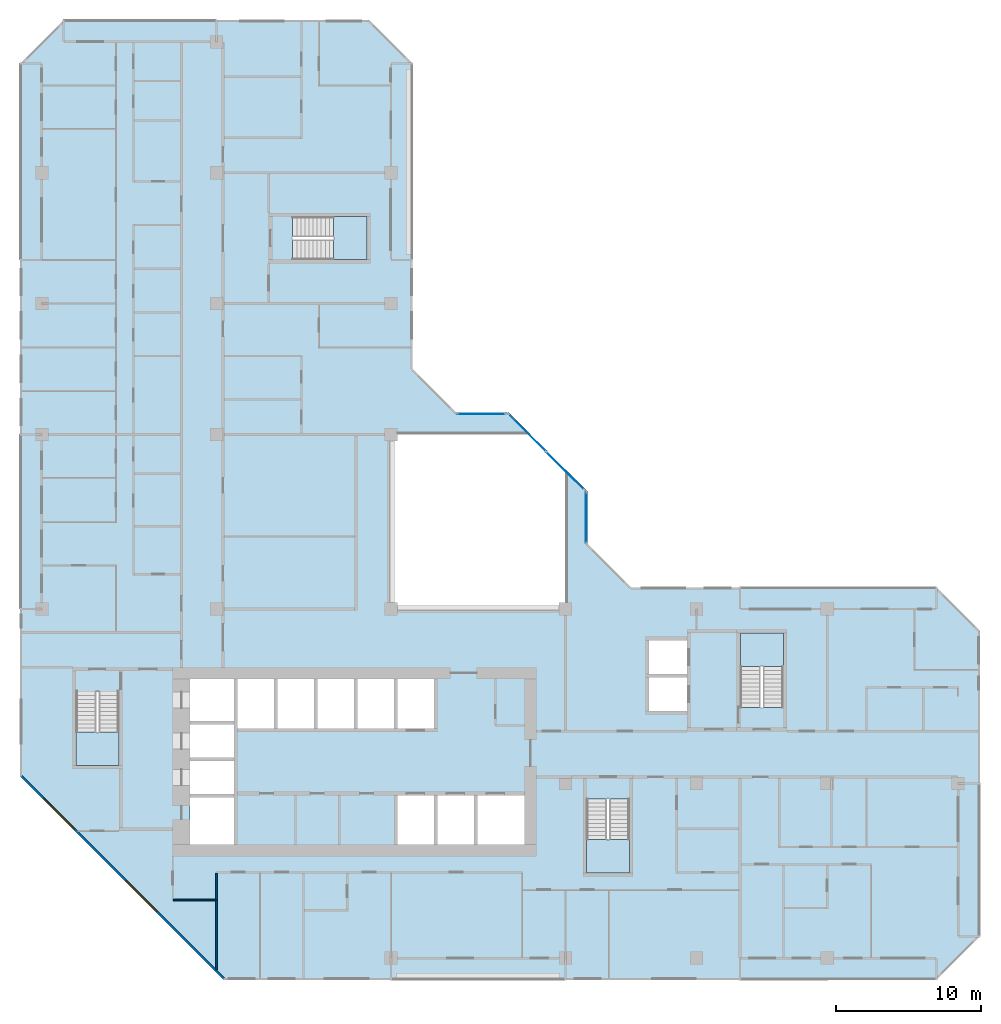
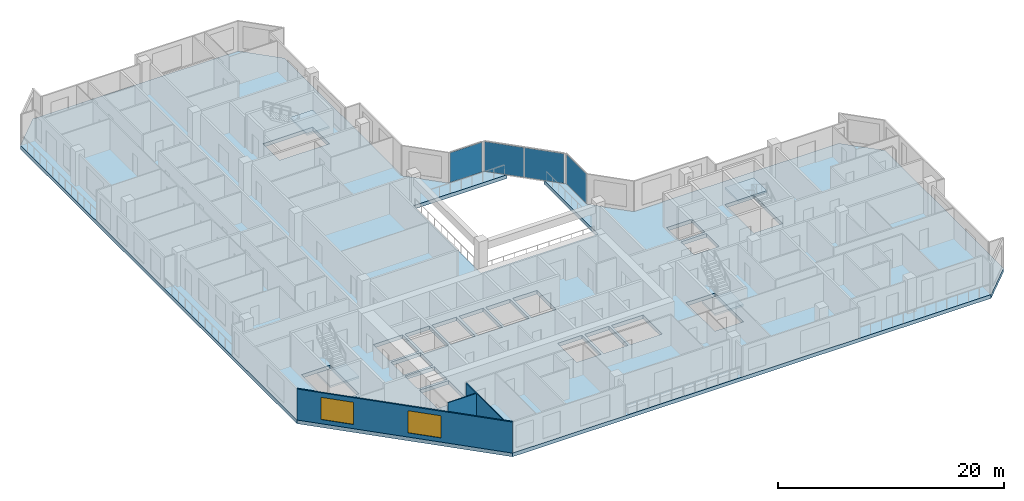
# One storey, part 3 of 15: 5 slabs, 4 plates, 3 walls, 2 windows, 2 openings, 7 elements without a shape of their own.
"""IFC4 building model written with IfcOpenShell, lengths in metres."""

from ifc_helpers import new_model, si_unit, direction, frame, frame_2d, origin, origin_2d, place, context, subcontext, project, spatial, polyline, rectangle, outline, extrude, material, layer, layer_set, type_object, element, fill, aggregate, save


model = new_model("IFC4")

# Units and contexts
model_context = context("Model", 3, precision=1e-05, world=origin(), true_north=direction((0.0, 1.0)))
body_context = subcontext(model_context, "Body", "Model", "MODEL_VIEW")
ifc_project = project(units=[si_unit("LENGTHUNIT", "METRE"), si_unit("AREAUNIT", "SQUARE_METRE"), si_unit("VOLUMEUNIT", "CUBIC_METRE"), si_unit("PLANEANGLEUNIT", "RADIAN"), si_unit("MASSUNIT", "GRAM", prefix="KILO")], contexts=[model_context])

# Site, building, storey
site_placement = place(None, origin())
site = spatial("IfcSite", under=ifc_project, at=site_placement, CompositionType="ELEMENT")
building_placement = place(site_placement, origin())
building = spatial("IfcBuilding", under=site, at=building_placement, Name="Chenar Terraces", CompositionType="ELEMENT")
storey_placement = place(building_placement, frame((0.0, 0.0, 176.14990234375)))
storey = spatial("IfcBuildingStorey", under=building, at=storey_placement, Name="L40", CompositionType="ELEMENT", Elevation=176.14990234375)

# Curtain wall, plate
ifc_material_1 = material(Name="Aluminium framed glazing", Category="aluminium")
ifc_layer_1 = layer(ifc_material_1, 0.14990234375)
ifc_layer_set_1 = layer_set([ifc_layer_1], Name="Aluminium framed glazing")
curtain_wall_type = type_object("IfcCurtainWallType", Name="Atrium mid-zone curtain wall", PredefinedType="NOTDEFINED", material=ifc_layer_set_1)
placement_1 = place(storey_placement, origin())
curtain_wall_1 = element("IfcCurtainWall", 1, at=placement_1, inside=storey, type_object=curtain_wall_type, Name="Atrium mid-zone curtain wall", PredefinedType="NOTDEFINED")
ifc_material_2 = material(Name="Low emissivity laminated glass, solar control coating", Category="glass")
ifc_layer_2 = layer(ifc_material_2, 0.031982421875)
ifc_layer_set_2 = layer_set([ifc_layer_2], Name="Low emissivity laminated glass, solar control coating")
plate_type = type_object("IfcPlateType", Name="Atrium mid-zone glazing panel 32", PredefinedType="CURTAIN_PANEL", material=ifc_layer_set_2)
plate_1_placement = place(storey_placement, frame((37.425048828125, 30.300048828125, 0.070068359375), z_axis=(0.0, 0.0, 1.0), x_axis=(0.0, 1.0, 0.0)))
plate_1 = element("IfcPlate", 2, at=plate_1_placement, type_object=plate_type, Name="CW7-1 panel 1.1", PredefinedType="CURTAIN_PANEL", context=body_context, shape_type="SweptSolid", body=[
    extrude(rectangle(XDim=3.4599609375, YDim=0.031982421875, at=origin_2d()), origin(), (0.0, 0.0, 1.0), 3.2099609375),
])
aggregate(curtain_wall_1, [plate_1])

# Curtain wall, plates
curtain_wall_2 = element("IfcCurtainWall", 3, at=placement_1, inside=storey, type_object=curtain_wall_type, Name="Atrium mid-zone curtain wall", PredefinedType="NOTDEFINED")
plate_2_placement = place(storey_placement, frame((35.978515625, 33.515380859375, 0.070068359375), z_axis=(0.0, 0.0, 1.0), x_axis=(-0.707106781187, 0.707106781187, 0.0)))
plate_2 = element("IfcPlate", 4, at=plate_2_placement, type_object=plate_type, Name="CW7-2 panel 1.1", PredefinedType="CURTAIN_PANEL", context=body_context, shape_type="SweptSolid", body=[
    extrude(rectangle(XDim=3.61328125, YDim=0.031982421875, at=origin_2d()), origin(), (0.0, 0.0, 1.0), 3.2099609375),
])
plate_3_placement = place(storey_placement, frame((33.3740234375, 36.119873046875, 0.070068359375), z_axis=(0.0, 0.0, 1.0), x_axis=(-0.707106781187, 0.707106781187, 0.0)))
plate_3 = element("IfcPlate", 5, at=plate_3_placement, type_object=plate_type, Name="CW7-2 panel 2.1", PredefinedType="CURTAIN_PANEL", context=body_context, shape_type="SweptSolid", body=[
    extrude(rectangle(XDim=3.61328125, YDim=0.031982421875, at=origin_2d()), origin(), (0.0, 0.0, 1.0), 3.2099609375),
])
aggregate(curtain_wall_2, [plate_2, plate_3])

# Curtain wall, plate
curtain_wall_3 = element("IfcCurtainWall", 6, at=placement_1, inside=storey, type_object=curtain_wall_type, Name="Atrium mid-zone curtain wall", PredefinedType="NOTDEFINED")
plate_4_placement = place(storey_placement, frame((30.199951171875, 37.425048828125, 0.070068359375), z_axis=(0.0, 0.0, 1.0), x_axis=(-1.0, 0.0, 0.0)))
plate_4 = element("IfcPlate", 7, at=plate_4_placement, type_object=plate_type, Name="CW7-3 panel 1.1", PredefinedType="CURTAIN_PANEL", context=body_context, shape_type="SweptSolid", body=[
    extrude(rectangle(XDim=3.260009765625, YDim=0.031982421875, at=origin_2d()), origin(), (0.0, 0.0, 1.0), 3.2099609375),
])
aggregate(curtain_wall_3, [plate_4])

# Stair, slab
ifc_material_3 = material(Name="Reinforced concrete C40/50", Category="concrete")
stair_type = type_object("IfcStairType", Name="Core stair 1400 half-turn", PredefinedType="HALF_TURN_STAIR", material=ifc_material_3)
stair_1 = element("IfcStair", 8, at=placement_1, inside=storey, type_object=stair_type, Name="L40 Stair 1", PredefinedType="HALF_TURN_STAIR")
ifc_material_4 = material(Name="Reinforced concrete C40/50", Category="concrete")
ifc_layer_3 = layer(ifc_material_4, 0.199951171875)
ifc_layer_set_3 = layer_set([ifc_layer_3], Name="Reinforced concrete C40/50")
slab_type_1 = type_object("IfcSlabType", Name="Core stair landing 200", PredefinedType="LANDING", material=ifc_layer_set_3)
placement_2 = place(storey_placement, frame((0.0, 0.0, 1.675048828125)))
slab_1 = element("IfcSlab", 9, at=placement_2, type_object=slab_type_1, Name="ST1 landing 1", PredefinedType="LANDING", context=body_context, shape_type="SweptSolid", body=[
    extrude(outline(polyline([(2.35009765625, 15.550048828125), (2.35009765625, 13.25), (5.300048828125, 13.25), (5.300048828125, 15.550048828125), (2.35009765625, 15.550048828125)])), origin(), (0.0, 0.0, 1.0), 0.199951171875),
])
aggregate(stair_1, [slab_1])

stair_2 = element("IfcStair", 10, at=placement_1, inside=storey, type_object=stair_type, Name="L40 Stair 2", PredefinedType="HALF_TURN_STAIR")
slab_2 = element("IfcSlab", 11, at=placement_2, type_object=slab_type_1, Name="ST2 landing 1", PredefinedType="LANDING", context=body_context, shape_type="SweptSolid", body=[
    extrude(outline(polyline([(37.449951171875, 8.14990234375), (37.449951171875, 5.85009765625), (40.39990234375, 5.85009765625), (40.39990234375, 8.14990234375), (37.449951171875, 8.14990234375)])), origin(), (0.0, 0.0, 1.0), 0.199951171875),
])
aggregate(stair_2, [slab_2])

stair_3 = element("IfcStair", 12, at=placement_1, inside=storey, type_object=stair_type, Name="L40 Stair 3", PredefinedType="HALF_TURN_STAIR")
slab_3 = element("IfcSlab", 13, at=placement_2, type_object=slab_type_1, Name="ST3 landing 1", PredefinedType="LANDING", context=body_context, shape_type="SweptSolid", body=[
    extrude(outline(polyline([(50.97509765625, 20.050048828125), (50.97509765625, 22.35009765625), (48.02490234375, 22.35009765625), (48.02490234375, 20.050048828125), (50.97509765625, 20.050048828125)])), origin(), (0.0, 0.0, 1.0), 0.199951171875),
])
aggregate(stair_3, [slab_3])

stair_4 = element("IfcStair", 14, at=placement_1, inside=storey, type_object=stair_type, Name="L40 Stair 4", PredefinedType="HALF_TURN_STAIR")
slab_4 = element("IfcSlab", 15, at=placement_2, type_object=slab_type_1, Name="ST4 landing 1", PredefinedType="LANDING", context=body_context, shape_type="SweptSolid", body=[
    extrude(outline(polyline([(20.050048828125, 48.02490234375), (22.35009765625, 48.02490234375), (22.35009765625, 50.97509765625), (20.050048828125, 50.97509765625), (20.050048828125, 48.02490234375)])), origin(), (0.0, 0.0, 1.0), 0.199951171875),
])
aggregate(stair_4, [slab_4])

# Slab
ifc_material_5 = material(Name="Concrete C40/50", Category="concrete")
ifc_layer_4 = layer(ifc_material_5, 0.39990234375)
ifc_layer_set_4 = layer_set([ifc_layer_4], Name="Concrete C40/50")
slab_type_2 = type_object("IfcSlabType", Name="Floor slab 400 Concrete C40/50", PredefinedType="FLOOR", material=ifc_layer_set_4)
slab_5_placement = place(storey_placement, frame((0.0, 0.0, -0.39990234375)))
element("IfcSlab", 16, at=slab_5_placement, inside=storey, type_object=slab_type_2, Name="Floor slab L40", PredefinedType="FLOOR", context=body_context, shape_type="SweptSolid", body=[
    extrude(outline(polyline([(64.5, 22.5), (64.5, 1.5), (61.5, -1.5), (12.5, -1.5), (-1.5, 12.5), (-1.5, 61.5), (1.5, 64.5), (22.5, 64.5), (25.5, 61.5), (25.5, 40.5), (28.5, 37.5), (32.10009765625, 37.5), (33.60009765625, 36.0), (24.0, 36.0), (24.0, 24.0), (36.0, 24.0), (36.0, 33.60009765625), (37.5, 32.10009765625), (37.5, 28.5), (40.5, 25.5), (61.5, 25.5), (64.5, 22.5)]), holes=[polyline([(13.199951171875, 11.050048828125), (10.199951171875, 11.050048828125), (10.199951171875, 7.800048828125), (13.199951171875, 7.800048828125), (13.199951171875, 11.050048828125)]), polyline([(13.199951171875, 13.550048828125), (10.199951171875, 13.550048828125), (10.199951171875, 11.300048828125), (13.199951171875, 11.300048828125), (13.199951171875, 13.550048828125)]), polyline([(13.199951171875, 16.050048828125), (10.199951171875, 16.050048828125), (10.199951171875, 13.800048828125), (13.199951171875, 13.800048828125), (13.199951171875, 16.050048828125)]), polyline([(2.35009765625, 13.25), (5.300048828125, 13.25), (5.300048828125, 18.35009765625), (2.35009765625, 18.35009765625), (2.35009765625, 13.25)]), polyline([(15.949951171875, 19.199951171875), (13.449951171875, 19.199951171875), (13.449951171875, 15.800048828125), (15.949951171875, 15.800048828125), (15.949951171875, 19.199951171875)]), polyline([(18.699951171875, 19.199951171875), (16.199951171875, 19.199951171875), (16.199951171875, 15.800048828125), (18.699951171875, 15.800048828125), (18.699951171875, 19.199951171875)]), polyline([(21.449951171875, 19.199951171875), (18.949951171875, 19.199951171875), (18.949951171875, 15.800048828125), (21.449951171875, 15.800048828125), (21.449951171875, 19.199951171875)]), polyline([(24.199951171875, 15.800048828125), (24.199951171875, 19.199951171875), (21.699951171875, 19.199951171875), (21.699951171875, 15.800048828125), (24.199951171875, 15.800048828125)]), polyline([(13.199951171875, 16.300048828125), (13.199951171875, 19.199951171875), (10.199951171875, 19.199951171875), (10.199951171875, 16.300048828125), (13.199951171875, 16.300048828125)]), polyline([(22.35009765625, 48.02490234375), (22.35009765625, 50.97509765625), (17.25, 50.97509765625), (17.25, 48.02490234375), (22.35009765625, 48.02490234375)]), polyline([(37.449951171875, 5.85009765625), (40.39990234375, 5.85009765625), (40.39990234375, 10.949951171875), (37.449951171875, 10.949951171875), (37.449951171875, 5.85009765625)]), polyline([(26.949951171875, 11.199951171875), (24.449951171875, 11.199951171875), (24.449951171875, 7.800048828125), (26.949951171875, 7.800048828125), (26.949951171875, 11.199951171875)]), polyline([(29.699951171875, 7.800048828125), (29.699951171875, 11.199951171875), (27.199951171875, 11.199951171875), (27.199951171875, 7.800048828125), (29.699951171875, 7.800048828125)]), polyline([(33.199951171875, 7.800048828125), (33.199951171875, 11.199951171875), (29.949951171875, 11.199951171875), (29.949951171875, 7.800048828125), (33.199951171875, 7.800048828125)]), polyline([(26.949951171875, 19.199951171875), (24.449951171875, 19.199951171875), (24.449951171875, 15.800048828125), (26.949951171875, 15.800048828125), (26.949951171875, 19.199951171875)]), polyline([(44.35009765625, 19.300048828125), (41.75, 19.300048828125), (41.75, 17.0), (44.35009765625, 17.0), (44.35009765625, 19.300048828125)]), polyline([(50.97509765625, 22.35009765625), (48.02490234375, 22.35009765625), (48.02490234375, 17.25), (50.97509765625, 17.25), (50.97509765625, 22.35009765625)]), polyline([(44.35009765625, 19.550048828125), (44.35009765625, 21.85009765625), (41.75, 21.85009765625), (41.75, 19.550048828125), (44.35009765625, 19.550048828125)])]), origin(), (0.0, 0.0, 1.0), 0.39990234375),
])

# Walls
ifc_material_6 = material(Name="Gypsum board on steel studs", Category="steel")
ifc_layer_5 = layer(ifc_material_6, 0.10009765625)
ifc_layer_set_5 = layer_set([ifc_layer_5], Name="Gypsum board on steel studs")
wall_type_1 = type_object("IfcWallType", Name="Gypsum partition 100", PredefinedType="PARTITIONING", material=ifc_layer_set_5)
wall_1_placement = place(storey_placement, frame((9.050048828125, 4.0, 0.0), z_axis=(0.0, 0.0, 1.0), x_axis=(1.0, 0.0, 0.0)))
element("IfcWall", 17, at=wall_1_placement, inside=storey, type_object=wall_type_1, Name="Partition L40-031", PredefinedType="PARTITIONING", context=body_context, shape_type="SweptSolid", body=[
    extrude(rectangle(XDim=2.89990234375, YDim=0.10009765625, at=frame_2d((1.449951171875, 0.0))), origin(), (0.0, 0.0, 1.0), 3.35009765625),
])
wall_2_placement = place(storey_placement, frame((12.0, -0.787841796875, 0.0), z_axis=(0.0, 0.0, 1.0), x_axis=(0.0, 1.0, 0.0)))
element("IfcWall", 18, at=wall_2_placement, inside=storey, type_object=wall_type_1, Name="Partition L40-034", PredefinedType="PARTITIONING", context=body_context, shape_type="SweptSolid", body=[
    extrude(rectangle(XDim=6.61279296875, YDim=0.10009765625, at=frame_2d((3.306396484375, 0.0))), origin(), (0.0, 0.0, 1.0), 3.35009765625),
])

# Wall, openings, windows
ifc_material_7 = material(Name="Terracotta cladding on insulated backing", Category="masonry")
ifc_layer_6 = layer(ifc_material_7, 0.14990234375)
ifc_layer_set_6 = layer_set([ifc_layer_6], Name="Terracotta cladding on insulated backing")
wall_type_2 = type_object("IfcWallType", Name="Terracotta rainscreen wall 150", PredefinedType="SOLIDWALL", material=ifc_layer_set_6)
wall_3_placement = place(storey_placement, frame((-1.447021484375, 12.552978515625, 0.0), z_axis=(0.0, 0.0, 1.0), x_axis=(0.707106781187, -0.707106781187, 0.0)))
wall_3 = element("IfcWall", 19, at=wall_3_placement, inside=storey, type_object=wall_type_2, Name="Terracotta rainscreen wall", PredefinedType="SOLIDWALL", context=body_context, shape_type="SweptSolid", body=[
    extrude(rectangle(XDim=19.799072265625, YDim=0.14990234375, at=frame_2d((9.8994140625, 0.0))), origin(), (0.0, 0.0, 1.0), 3.35009765625),
])
opening_1_placement = place(wall_3_placement, frame((2.21240234375, 0.0, 0.449951171875)))
opening_1 = element("IfcOpeningElement", 20, at=opening_1_placement, cuts=wall_3, Name="Opening W300x240", PredefinedType="OPENING", context=body_context, shape_type="SweptSolid", body=[
    extrude(rectangle(XDim=3.0, YDim=2.39990234375, at=frame_2d((1.5, 1.199951171875))), frame((0.0, 0.0849609375, 0.0), z_axis=(0.0, -1.0, 0.0), x_axis=(1.0, 0.0, 0.0)), (0.0, 0.0, 1.0), 0.169921875),
])
opening_2_placement = place(wall_3_placement, frame((10.215576171875, 0.0, 0.449951171875)))
opening_2 = element("IfcOpeningElement", 21, at=opening_2_placement, cuts=wall_3, Name="Opening W300x240", PredefinedType="OPENING", context=body_context, shape_type="SweptSolid", body=[
    extrude(rectangle(XDim=3.0, YDim=2.39990234375, at=frame_2d((1.5, 1.199951171875))), frame((0.0, 0.0849609375, 0.0), z_axis=(0.0, -1.0, 0.0), x_axis=(1.0, 0.0, 0.0)), (0.0, 0.0, 1.0), 0.169921875),
])
ifc_material_8 = material(Name="Low emissivity double glazing, aluminium frame", Category="aluminium")
window_type = type_object("IfcWindowType", Name="Fixed light 3000 x 2400", PartitioningType="SINGLE_PANEL", PredefinedType="WINDOW", material=ifc_material_8)
window_1_placement = place(opening_1_placement, origin())
window_1 = element("IfcWindow", 22, at=window_1_placement, inside=storey, type_object=window_type, Name="Window", OverallHeight=2.39990234375, OverallWidth=3.0, PartitioningType="SINGLE_PANEL", PredefinedType="WINDOW", context=body_context, shape_type="SweptSolid", body=[
    extrude(rectangle(XDim=3.0, YDim=2.39990234375, at=frame_2d((1.5, 1.199951171875))), frame((0.0, 0.030029296875, 0.0), z_axis=(0.0, -1.0, 0.0), x_axis=(1.0, 0.0, 0.0)), (0.0, 0.0, 1.0), 0.06005859375),
])
fill(opening_1, window_1)
window_2_placement = place(opening_2_placement, origin())
window_2 = element("IfcWindow", 23, at=window_2_placement, inside=storey, type_object=window_type, Name="Window", OverallHeight=2.39990234375, OverallWidth=3.0, PartitioningType="SINGLE_PANEL", PredefinedType="WINDOW", context=body_context, shape_type="SweptSolid", body=[
    extrude(rectangle(XDim=3.0, YDim=2.39990234375, at=frame_2d((1.5, 1.199951171875))), frame((0.0, 0.030029296875, 0.0), z_axis=(0.0, -1.0, 0.0), x_axis=(1.0, 0.0, 0.0)), (0.0, 0.0, 1.0), 0.06005859375),
])
fill(opening_2, window_2)

save(model, "model.ifc")
